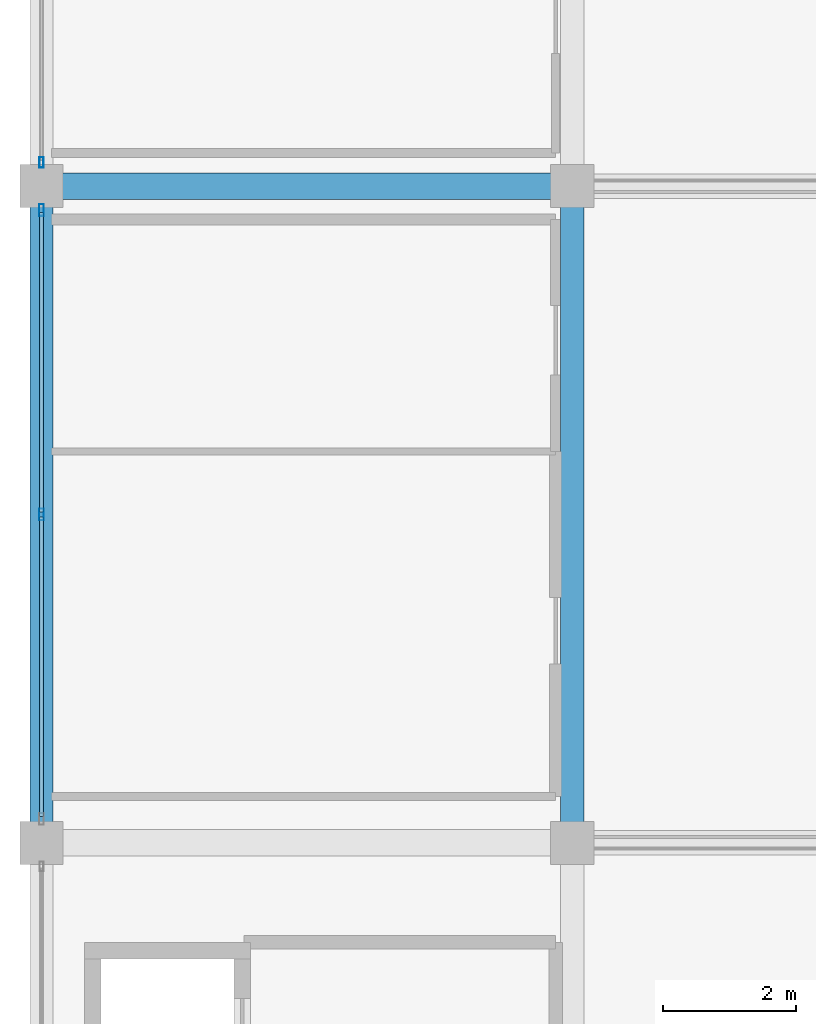
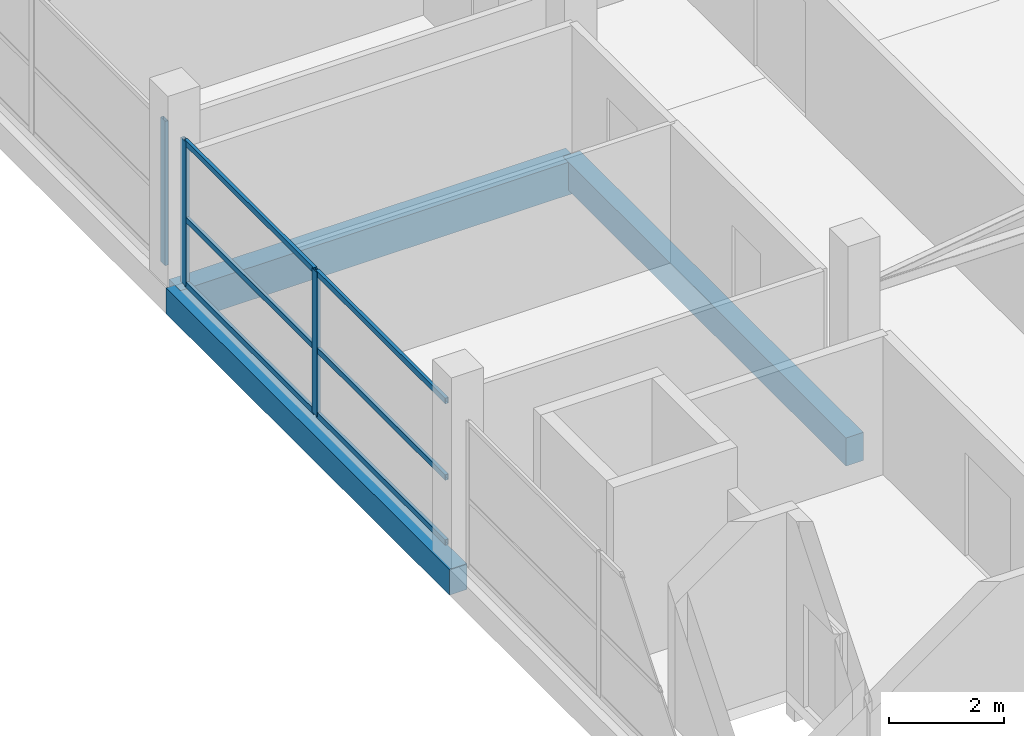
# One storey, part 18 of 53: 9 members, 3 beams, 2 elements without a shape of their own.
"""IFC4 building model written with IfcOpenShell, lengths in metres."""

from ifc_helpers import new_model, si_unit, direction, frame, origin, origin_2d, place, context, subcontext, project, spatial, rectangle, hollow_rectangle, extrude, material, layer, layer_set, material_profile, profile_set, type_object, element, aggregate, save


model = new_model("IFC4")

# Units and contexts
model_context = context("Model", 3, precision=1e-05, world=origin(), true_north=direction((0.0, 1.0)))
body_context = subcontext(model_context, "Body", "Model", "MODEL_VIEW")
ifc_project = project(units=[si_unit("LENGTHUNIT", "METRE"), si_unit("AREAUNIT", "SQUARE_METRE"), si_unit("VOLUMEUNIT", "CUBIC_METRE"), si_unit("PLANEANGLEUNIT", "RADIAN"), si_unit("MASSUNIT", "GRAM", prefix="KILO")], contexts=[model_context])

# Site, building, storey
site_placement = place(None, origin())
site = spatial("IfcSite", under=ifc_project, at=site_placement, CompositionType="ELEMENT")
building_placement = place(site_placement, origin())
building = spatial("IfcBuilding", under=site, at=building_placement, Name="Sillaruma Civic Art Gallery", CompositionType="ELEMENT")
storey_placement = place(building_placement, frame((0.0, 0.0, 70.3798828125)))
storey = spatial("IfcBuildingStorey", under=building, at=storey_placement, Name="L14", CompositionType="ELEMENT", Elevation=70.3798828125)

# Beams
ifc_material_1 = material(Name="Concrete H35 (35 MPa)", Category="concrete")
ifc_material_profile_1 = material_profile(ifc_material_1, rectangle(XDim=0.35009765625, YDim=0.60009765625, at=origin_2d()), Name="RCB350x600")
ifc_profile_set_1 = profile_set([ifc_material_profile_1], Name="Concrete H35 (35 MPa)")
beam_type_1 = type_object("IfcBeamType", Name="BM-BEAM-RCB350x600", PredefinedType="BEAM", material=ifc_profile_set_1)
beam_1_placement = place(storey_placement, frame((70.0, 49.5, -0.5498046875), z_axis=(0.0, 1.0, 0.0), x_axis=(-1.0, 0.0, 0.0)))
element("IfcBeam", 1, at=beam_1_placement, inside=storey, type_object=beam_type_1, Name="Beam BM-06 (L13:G:6-7)", PredefinedType="BEAM", context=body_context, shape_type="SweptSolid", body=[
    extrude(rectangle(XDim=0.35009765625, YDim=0.60009765625, at=origin_2d()), origin(), (0.0, 0.0, 1.0), 9.89990234375),
])
ifc_material_profile_2 = material_profile(ifc_material_1, rectangle(XDim=0.39990234375, YDim=0.699951171875, at=origin_2d()), Name="RCB400x700")
ifc_profile_set_2 = profile_set([ifc_material_profile_2], Name="Concrete H35 (35 MPa)")
beam_type_2 = type_object("IfcBeamType", Name="BM-BEAM-RCB400x700", PredefinedType="BEAM", material=ifc_profile_set_2)
beam_2_placement = place(storey_placement, frame((62.0, 59.39990234375, -0.599853515625), z_axis=(1.0, 0.0, 0.0), x_axis=(0.0, 1.0, 0.0)))
element("IfcBeam", 2, at=beam_2_placement, inside=storey, type_object=beam_type_2, Name="Beam BM-04 (L13:7:F-G)", PredefinedType="BEAM", context=body_context, shape_type="SweptSolid", body=[
    extrude(rectangle(XDim=0.39990234375, YDim=0.699951171875, at=origin_2d()), origin(), (0.0, 0.0, 1.0), 8.0),
])
ifc_material_profile_3 = material_profile(ifc_material_1, rectangle(XDim=0.35009765625, YDim=0.550048828125, at=origin_2d()), Name="RCB350x550")
ifc_profile_set_3 = profile_set([ifc_material_profile_3], Name="Concrete H35 (35 MPa)")
beam_type_3 = type_object("IfcBeamType", Name="BM-SPANDREL-RCB350x550", PredefinedType="SPANDREL", material=ifc_profile_set_3)
beam_3_placement = place(storey_placement, frame((62.0, 49.5, -0.52490234375), z_axis=(0.0, 1.0, 0.0), x_axis=(-1.0, 0.0, 0.0)))
element("IfcBeam", 3, at=beam_3_placement, inside=storey, type_object=beam_type_3, Name="Beam BS-04 (L13:F:6-7)", PredefinedType="SPANDREL", context=body_context, shape_type="SweptSolid", body=[
    extrude(rectangle(XDim=0.35009765625, YDim=0.550048828125, at=origin_2d()), origin(), (0.0, 0.0, 1.0), 9.89990234375),
])

# Curtain wall, member
ifc_material_2 = material(Name="Thermally Broken Extruded Aluminium 6063-T6", Category="aluminium")
ifc_layer_1 = layer(ifc_material_2, 0.159912109375, Name="Thermally Broken Extruded Aluminium 6063-T6")
ifc_layer_set_1 = layer_set([ifc_layer_1], Name="Thermally Broken Extruded Aluminium 6063-T6")
curtain_wall_type_1 = type_object("IfcCurtainWallType", Name="CW-UNI-94", PredefinedType="NOTDEFINED", material=ifc_layer_set_1)
curtain_wall_1_placement = place(storey_placement, origin())
curtain_wall_1 = element("IfcCurtainWall", 4, at=curtain_wall_1_placement, inside=storey, type_object=curtain_wall_type_1, Name="Unitised Curtain Wall CW-94 (CW-L14-WBW-5)", PredefinedType="NOTDEFINED")
ifc_material_profile_4 = material_profile(ifc_material_2, hollow_rectangle(XDim=0.06494140625, YDim=0.159912109375, WallThickness=0.00390625, at=origin_2d()), Name="CWM65x160")
ifc_profile_set_4 = profile_set([ifc_material_profile_4], Name="Thermally Broken Extruded Aluminium 6063-T6")
member_type_1 = type_object("IfcMemberType", Name="MEM-MUL-CWM65x160", PredefinedType="MULLION", material=ifc_profile_set_4)
member_1_placement = place(storey_placement, frame((62.0, 59.757568359375, 0.0), z_axis=(0.0, 0.0, 1.0), x_axis=(-1.0, 0.0, 0.0)))
member_1 = element("IfcMember", 5, at=member_1_placement, type_object=member_type_1, Name="CW-94 mullion 1", PredefinedType="MULLION", context=body_context, shape_type="SweptSolid", body=[
    extrude(hollow_rectangle(XDim=0.06494140625, YDim=0.159912109375, WallThickness=0.00390625, at=origin_2d()), origin(), (0.0, 0.0, 1.0), 3.080078125),
])
aggregate(curtain_wall_1, [member_1])

# Curtain wall, members
ifc_layer_2 = layer(ifc_material_2, 0.179931640625, Name="Thermally Broken Extruded Aluminium 6063-T6")
ifc_layer_set_2 = layer_set([ifc_layer_2], Name="Thermally Broken Extruded Aluminium 6063-T6")
curtain_wall_type_2 = type_object("IfcCurtainWallType", Name="CW-UNI-92", PredefinedType="NOTDEFINED", material=ifc_layer_set_2)
curtain_wall_2_placement = place(storey_placement, origin())
curtain_wall_2 = element("IfcCurtainWall", 6, at=curtain_wall_2_placement, inside=storey, type_object=curtain_wall_type_2, Name="Unitised Curtain Wall CW-92 (CW-L14-WBW-4)", PredefinedType="NOTDEFINED")
ifc_material_profile_5 = material_profile(ifc_material_2, hollow_rectangle(XDim=0.070068359375, YDim=0.179931640625, WallThickness=0.00390625, at=origin_2d()), Name="CWM70x180")
ifc_profile_set_5 = profile_set([ifc_material_profile_5], Name="Thermally Broken Extruded Aluminium 6063-T6")
member_type_2 = type_object("IfcMemberType", Name="MEM-MUL-CWM70x180", PredefinedType="MULLION", material=ifc_profile_set_5)
member_2_placement = place(storey_placement, frame((62.0, 54.449951171875, 0.0), z_axis=(0.0, 0.0, 1.0), x_axis=(-1.0, 0.0, 0.0)))
member_2 = element("IfcMember", 7, at=member_2_placement, type_object=member_type_2, Name="CW-92 mullion 2", PredefinedType="MULLION", context=body_context, shape_type="SweptSolid", body=[
    extrude(hollow_rectangle(XDim=0.070068359375, YDim=0.179931640625, WallThickness=0.00390625, at=origin_2d()), origin(), (0.0, 0.0, 1.0), 3.080078125),
])
member_3_placement = place(storey_placement, frame((62.0, 59.0400390625, 0.0), z_axis=(0.0, 0.0, 1.0), x_axis=(-1.0, 0.0, 0.0)))
member_3 = element("IfcMember", 8, at=member_3_placement, type_object=member_type_2, Name="CW-92 mullion 3", PredefinedType="MULLION", context=body_context, shape_type="SweptSolid", body=[
    extrude(hollow_rectangle(XDim=0.070068359375, YDim=0.179931640625, WallThickness=0.00390625, at=origin_2d()), origin(), (0.0, 0.0, 1.0), 3.080078125),
])
ifc_material_profile_6 = material_profile(ifc_material_2, hollow_rectangle(XDim=0.06494140625, YDim=0.1201171875, WallThickness=0.00341796875, at=origin_2d()), Name="CWT65x120")
ifc_profile_set_6 = profile_set([ifc_material_profile_6], Name="Thermally Broken Extruded Aluminium 6063-T6")
member_type_3 = type_object("IfcMemberType", Name="MEM-TRN-CWT65x120", PredefinedType="USERDEFINED", material=ifc_profile_set_6)
member_4_placement = place(storey_placement, frame((62.0, 49.89501953125, 0.03271484375), z_axis=(0.0, 1.0, 0.0), x_axis=(-1.0, 0.0, 0.0)))
member_4 = element("IfcMember", 9, at=member_4_placement, type_object=member_type_3, Name="CW-92 transom 1.1", ObjectType="TRANSOM", PredefinedType="USERDEFINED", context=body_context, shape_type="SweptSolid", body=[
    extrude(hollow_rectangle(XDim=0.06494140625, YDim=0.1201171875, WallThickness=0.00341796875, at=origin_2d()), origin(), (0.0, 0.0, 1.0), 4.52001953125),
])
member_5_placement = place(storey_placement, frame((62.0, 49.89501953125, 1.4169921875), z_axis=(0.0, 1.0, 0.0), x_axis=(-1.0, 0.0, 0.0)))
member_5 = element("IfcMember", 10, at=member_5_placement, type_object=member_type_3, Name="CW-92 transom 1.2", ObjectType="TRANSOM", PredefinedType="USERDEFINED", context=body_context, shape_type="SweptSolid", body=[
    extrude(hollow_rectangle(XDim=0.06494140625, YDim=0.1201171875, WallThickness=0.00341796875, at=origin_2d()), origin(), (0.0, 0.0, 1.0), 4.52001953125),
])
member_6_placement = place(storey_placement, frame((62.0, 49.89501953125, 3.047607421875), z_axis=(0.0, 1.0, 0.0), x_axis=(-1.0, 0.0, 0.0)))
member_6 = element("IfcMember", 11, at=member_6_placement, type_object=member_type_3, Name="CW-92 transom 1.3", ObjectType="TRANSOM", PredefinedType="USERDEFINED", context=body_context, shape_type="SweptSolid", body=[
    extrude(hollow_rectangle(XDim=0.06494140625, YDim=0.1201171875, WallThickness=0.00341796875, at=origin_2d()), origin(), (0.0, 0.0, 1.0), 4.52001953125),
])
member_7_placement = place(storey_placement, frame((62.0, 54.485107421875, 0.03271484375), z_axis=(0.0, 1.0, 0.0), x_axis=(-1.0, 0.0, 0.0)))
member_7 = element("IfcMember", 12, at=member_7_placement, type_object=member_type_3, Name="CW-92 transom 2.1", ObjectType="TRANSOM", PredefinedType="USERDEFINED", context=body_context, shape_type="SweptSolid", body=[
    extrude(hollow_rectangle(XDim=0.06494140625, YDim=0.1201171875, WallThickness=0.00341796875, at=origin_2d()), origin(), (0.0, 0.0, 1.0), 4.519775390625),
])
member_8_placement = place(storey_placement, frame((62.0, 54.485107421875, 1.4169921875), z_axis=(0.0, 1.0, 0.0), x_axis=(-1.0, 0.0, 0.0)))
member_8 = element("IfcMember", 13, at=member_8_placement, type_object=member_type_3, Name="CW-92 transom 2.2", ObjectType="TRANSOM", PredefinedType="USERDEFINED", context=body_context, shape_type="SweptSolid", body=[
    extrude(hollow_rectangle(XDim=0.06494140625, YDim=0.1201171875, WallThickness=0.00341796875, at=origin_2d()), origin(), (0.0, 0.0, 1.0), 4.519775390625),
])
member_9_placement = place(storey_placement, frame((62.0, 54.485107421875, 3.047607421875), z_axis=(0.0, 1.0, 0.0), x_axis=(-1.0, 0.0, 0.0)))
member_9 = element("IfcMember", 14, at=member_9_placement, type_object=member_type_3, Name="CW-92 transom 2.3", ObjectType="TRANSOM", PredefinedType="USERDEFINED", context=body_context, shape_type="SweptSolid", body=[
    extrude(hollow_rectangle(XDim=0.06494140625, YDim=0.1201171875, WallThickness=0.00341796875, at=origin_2d()), origin(), (0.0, 0.0, 1.0), 4.519775390625),
])
aggregate(curtain_wall_2, [member_2, member_3, member_4, member_5, member_6, member_7, member_8, member_9])

save(model, "model.ifc")
